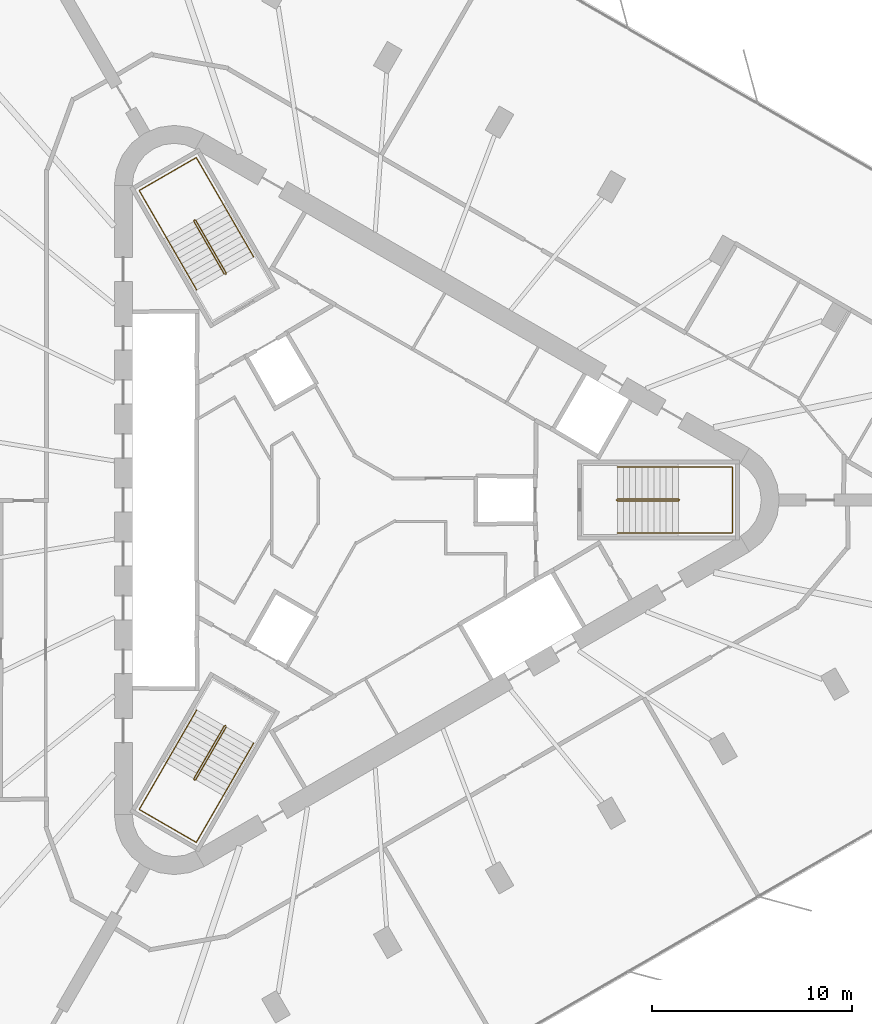
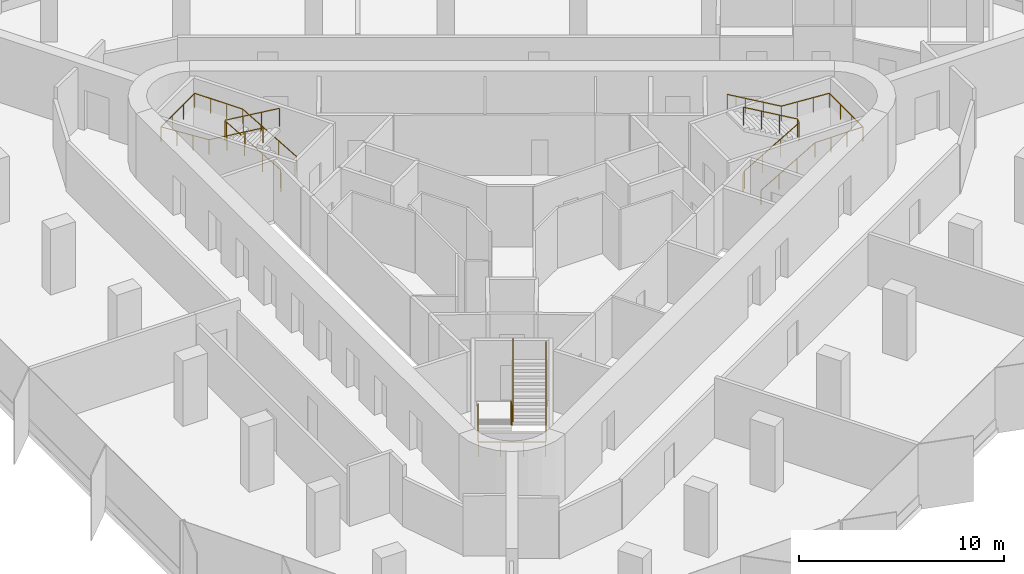
# One storey, part 12 of 12: 6 railings.
"""IFC4 building model written with IfcOpenShell, lengths in metres."""

from ifc_helpers import new_model, si_unit, direction, frame, origin, origin_2d, place, context, subcontext, project, spatial, circle, extrude, material, type_object, element, save


model = new_model("IFC4")

# Units and contexts
model_context = context("Model", 3, precision=1e-05, world=origin(), true_north=direction((0.0, 1.0)))
body_context = subcontext(model_context, "Body", "Model", "MODEL_VIEW")
ifc_project = project(units=[si_unit("LENGTHUNIT", "METRE"), si_unit("AREAUNIT", "SQUARE_METRE"), si_unit("VOLUMEUNIT", "CUBIC_METRE"), si_unit("PLANEANGLEUNIT", "RADIAN"), si_unit("MASSUNIT", "GRAM", prefix="KILO")], contexts=[model_context])

# Site, building, storey
site_placement = place(None, origin())
site = spatial("IfcSite", under=ifc_project, at=site_placement, CompositionType="ELEMENT")
building_placement = place(site_placement, origin())
building = spatial("IfcBuilding", under=site, at=building_placement, Name="Tanit Gate Tower", CompositionType="ELEMENT")
storey_placement = place(building_placement, frame((0.0, 0.0, 337.699951171875)))
storey = spatial("IfcBuildingStorey", under=building, at=storey_placement, Name="L76", CompositionType="ELEMENT", Elevation=337.699951171875)

# Railings
ifc_material_1 = material(Name="Stainless steel balustrade", Category="steel")
railing_type_1 = type_object("IfcRailingType", Name="INT-STAIR-GUARD", PredefinedType="GUARDRAIL", material=ifc_material_1)
railing_1_placement = place(storey_placement, frame((13.044921875, 0.0048828125, 0.0)))
element("IfcRailing", 1, at=railing_1_placement, inside=storey, type_object=railing_type_1, Name="L76 S1 stair guard 1", PredefinedType="GUARDRAIL", context=body_context, shape_type="SweptSolid", body=[
    extrude(circle(Radius=0.02392578125, at=origin_2d()), frame((0.0, 0.0, 1.076171875), z_axis=(0.0, -1.0, 0.0), x_axis=(1.0, 0.0, 0.0)), (0.0, 0.0, 1.0), 0.009765625),
    extrude(circle(Radius=0.02392578125, at=origin_2d()), frame((0.0, -0.009765625, 1.076171875), z_axis=(0.262233686654, -0.262233686654, 0.928691007369), x_axis=(0.707106781187, 0.707106781187, 0.0)), (0.0, 0.0, 1.0), 0.19091796875),
    extrude(circle(Radius=0.02392578125, at=origin_2d()), frame((0.050048828125, -0.059814453125, 1.25341796875), z_axis=(0.864648382064, 0.0, 0.502377522779), x_axis=(0.0, 1.0, 0.0)), (0.0, 0.0, 1.0), 3.528564453125),
    extrude(circle(Radius=0.02392578125, at=origin_2d()), frame((3.10107421875, -0.059814453125, 3.02587890625), z_axis=(0.707106781187, 0.707106781187, 0.0), x_axis=(-0.707106781187, 0.707106781187, 0.0)), (0.0, 0.0, 1.0), 0.07080078125),
    extrude(circle(Radius=0.02392578125, at=origin_2d()), frame((3.151123046875, -0.009765625, 3.02587890625), z_axis=(0.0, 1.0, 0.0), x_axis=(-1.0, 0.0, 0.0)), (0.0, 0.0, 1.0), 0.009765625),
    extrude(circle(Radius=0.02392578125, at=origin_2d()), frame((3.151123046875, 0.0, 3.02587890625), z_axis=(-0.261922500866, 0.261922500866, 0.928866625022), x_axis=(-0.707106781187, -0.707106781187, 0.0)), (0.0, 0.0, 1.0), 0.191162109375),
    extrude(circle(Radius=0.02392578125, at=origin_2d()), frame((3.10107421875, 0.050048828125, 3.20361328125), z_axis=(-0.864648382064, 0.0, 0.502377522779), x_axis=(0.0, -1.0, 0.0)), (0.0, 0.0, 1.0), 3.528564453125),
    extrude(circle(Radius=0.02099609375, at=origin_2d()), origin(), (0.0, 0.0, 1.0), 1.052001953125),
    extrude(circle(Radius=0.02099609375, at=origin_2d()), frame((0.0, -0.009765625, 0.0)), (0.0, 0.0, 1.0), 1.052001953125),
    extrude(circle(Radius=0.02099609375, at=origin_2d()), frame((0.050048828125, -0.059814453125, 0.17724609375)), (0.0, 0.0, 1.0), 1.052001953125),
    extrude(circle(Radius=0.02099609375, at=origin_2d()), frame((1.067138671875, -0.059814453125, 0.76806640625)), (0.0, 0.0, 1.0), 1.052001953125),
    extrude(circle(Radius=0.02099609375, at=origin_2d()), frame((2.083984375, -0.059814453125, 1.359130859375)), (0.0, 0.0, 1.0), 1.052001953125),
    extrude(circle(Radius=0.02099609375, at=origin_2d()), frame((3.10107421875, -0.059814453125, 1.949951171875)), (0.0, 0.0, 1.0), 1.052001953125),
    extrude(circle(Radius=0.02099609375, at=origin_2d()), frame((3.151123046875, -0.009765625, 1.949951171875)), (0.0, 0.0, 1.0), 1.052001953125),
    extrude(circle(Radius=0.02099609375, at=origin_2d()), frame((3.151123046875, 0.0, 1.949951171875)), (0.0, 0.0, 1.0), 1.052001953125),
    extrude(circle(Radius=0.02099609375, at=origin_2d()), frame((3.10107421875, 0.050048828125, 2.12744140625)), (0.0, 0.0, 1.0), 1.052001953125),
    extrude(circle(Radius=0.02099609375, at=origin_2d()), frame((2.083984375, 0.050048828125, 2.71826171875)), (0.0, 0.0, 1.0), 1.052001953125),
    extrude(circle(Radius=0.02099609375, at=origin_2d()), frame((1.067138671875, 0.050048828125, 3.309326171875)), (0.0, 0.0, 1.0), 1.052001953125),
    extrude(circle(Radius=0.02099609375, at=origin_2d()), frame((0.050048828125, 0.050048828125, 3.900146484375)), (0.0, 0.0, 1.0), 1.052001953125),
])
railing_2_placement = place(storey_placement, frame((-6.527099609375, 11.29345703125, 0.0)))
element("IfcRailing", 2, at=railing_2_placement, inside=storey, type_object=railing_type_1, Name="L76 S2 stair guard 1", PredefinedType="GUARDRAIL", context=body_context, shape_type="SweptSolid", body=[
    extrude(circle(Radius=0.02392578125, at=origin_2d()), frame((0.0, 0.0, 1.076171875), z_axis=(0.868243142124, 0.496138938357, 0.0), x_axis=(-0.496138938357, 0.868243142124, 0.0)), (0.0, 0.0, 1.0), 0.01171875),
    extrude(circle(Radius=0.02392578125, at=origin_2d()), frame((0.01025390625, 0.005859375, 1.076171875), z_axis=(0.095941116058, 0.358180166617, 0.928710003441), x_axis=(-0.965948051503, 0.258736085224, 0.0)), (0.0, 0.0, 1.0), 0.19091796875),
    extrude(circle(Radius=0.02392578125, at=origin_2d()), frame((0.028564453125, 0.07421875, 1.25341796875), z_axis=(-0.4322777601, 0.748681545756, 0.50260509465), x_axis=(-0.866012246495, -0.500022788402, 0.0)), (0.0, 0.0, 1.0), 3.527099609375),
    extrude(circle(Radius=0.02392578125, at=origin_2d()), frame((-1.49609375, 2.71484375, 3.02587890625), z_axis=(-0.965715946433, 0.259601060869, 0.0), x_axis=(-0.259601060869, -0.965715946433, 0.0)), (0.0, 0.0, 1.0), 0.070556640625),
    extrude(circle(Radius=0.02392578125, at=origin_2d()), frame((-1.564208984375, 2.733154296875, 3.02587890625), z_axis=(-0.873197702015, -0.487366159264, 0.0), x_axis=(0.487366159264, -0.873197702015, 0.0)), (0.0, 0.0, 1.0), 0.011962890625),
    extrude(circle(Radius=0.02392578125, at=origin_2d()), frame((-1.57470703125, 2.727294921875, 3.02587890625), z_axis=(-0.095827260621, -0.357755106318, 0.928885579619), x_axis=(0.965948051503, -0.258736085224, 0.0)), (0.0, 0.0, 1.0), 0.191162109375),
    extrude(circle(Radius=0.02392578125, at=origin_2d()), frame((-1.593017578125, 2.658935546875, 3.20361328125), z_axis=(0.4322777601, -0.748681545756, 0.50260509465), x_axis=(0.866012246495, 0.500022788402, 0.0)), (0.0, 0.0, 1.0), 3.527099609375),
    extrude(circle(Radius=0.02099609375, at=origin_2d()), origin(), (0.0, 0.0, 1.0), 1.052001953125),
    extrude(circle(Radius=0.02099609375, at=origin_2d()), frame((0.01025390625, 0.005859375, 0.0)), (0.0, 0.0, 1.0), 1.052001953125),
    extrude(circle(Radius=0.02099609375, at=origin_2d()), frame((0.028564453125, 0.07421875, 0.17724609375)), (0.0, 0.0, 1.0), 1.052001953125),
    extrude(circle(Radius=0.02099609375, at=origin_2d()), frame((-0.479736328125, 0.954345703125, 0.76806640625)), (0.0, 0.0, 1.0), 1.052001953125),
    extrude(circle(Radius=0.02099609375, at=origin_2d()), frame((-0.98779296875, 1.834716796875, 1.359130859375)), (0.0, 0.0, 1.0), 1.052001953125),
    extrude(circle(Radius=0.02099609375, at=origin_2d()), frame((-1.49609375, 2.71484375, 1.949951171875)), (0.0, 0.0, 1.0), 1.052001953125),
    extrude(circle(Radius=0.02099609375, at=origin_2d()), frame((-1.564208984375, 2.733154296875, 1.949951171875)), (0.0, 0.0, 1.0), 1.052001953125),
    extrude(circle(Radius=0.02099609375, at=origin_2d()), frame((-1.57470703125, 2.727294921875, 1.949951171875)), (0.0, 0.0, 1.0), 1.052001953125),
    extrude(circle(Radius=0.02099609375, at=origin_2d()), frame((-1.593017578125, 2.658935546875, 2.12744140625)), (0.0, 0.0, 1.0), 1.052001953125),
    extrude(circle(Radius=0.02099609375, at=origin_2d()), frame((-1.084716796875, 1.77880859375, 2.71826171875)), (0.0, 0.0, 1.0), 1.052001953125),
    extrude(circle(Radius=0.02099609375, at=origin_2d()), frame((-0.57666015625, 0.8984375, 3.309326171875)), (0.0, 0.0, 1.0), 1.052001953125),
    extrude(circle(Radius=0.02099609375, at=origin_2d()), frame((-0.068359375, 0.018310546875, 3.900146484375)), (0.0, 0.0, 1.0), 1.052001953125),
])
railing_3_placement = place(storey_placement, frame((-6.51806640625, -11.2998046875, 0.0)))
element("IfcRailing", 3, at=railing_3_placement, inside=storey, type_object=railing_type_1, Name="L76 S3 stair guard 1", PredefinedType="GUARDRAIL", context=body_context, shape_type="SweptSolid", body=[
    extrude(circle(Radius=0.02392578125, at=origin_2d()), frame((0.0, 0.0, 1.076171875), z_axis=(-0.874157276122, 0.485642931179, 0.0), x_axis=(-0.485642931179, -0.874157276122, 0.0)), (0.0, 0.0, 1.0), 0.010009765625),
    extrude(circle(Radius=0.02392578125, at=origin_2d()), frame((-0.0087890625, 0.0048828125, 1.076171875), z_axis=(-0.358223840744, -0.094673443625, 0.928823244215), x_axis=(0.255512919477, -0.966805641264, 0.0)), (0.0, 0.0, 1.0), 0.19091796875),
    extrude(circle(Radius=0.02392578125, at=origin_2d()), frame((-0.0771484375, -0.01318359375, 1.25341796875), z_axis=(-0.432289778901, -0.748827189027, 0.502377734411), x_axis=(0.866048339477, -0.499960272111, 0.0)), (0.0, 0.0, 1.0), 3.528564453125),
    extrude(circle(Radius=0.02392578125, at=origin_2d()), frame((-1.6025390625, -2.655517578125, 3.02587890625), z_axis=(0.258736085224, -0.965948051503, 0.0), x_axis=(0.965948051503, 0.258736085224, 0.0)), (0.0, 0.0, 1.0), 0.07080078125),
    extrude(circle(Radius=0.02392578125, at=origin_2d()), frame((-1.584228515625, -2.723876953125, 3.02587890625), z_axis=(0.868243142124, -0.496138938357, 0.0), x_axis=(0.496138938357, 0.868243142124, 0.0)), (0.0, 0.0, 1.0), 0.009765625),
    extrude(circle(Radius=0.02392578125, at=origin_2d()), frame((-1.57568359375, -2.728759765625, 3.02587890625), z_axis=(0.357755106318, 0.095827260621, 0.928885579619), x_axis=(-0.258736085224, 0.965948051503, 0.0)), (0.0, 0.0, 1.0), 0.191162109375),
    extrude(circle(Radius=0.02392578125, at=origin_2d()), frame((-1.50732421875, -2.71044921875, 3.20361328125), z_axis=(0.432368434633, 0.748774395838, 0.502388734816), x_axis=(-0.865993683553, 0.500054937028, 0.0)), (0.0, 0.0, 1.0), 3.528564453125),
    extrude(circle(Radius=0.02099609375, at=origin_2d()), origin(), (0.0, 0.0, 1.0), 1.052001953125),
    extrude(circle(Radius=0.02099609375, at=origin_2d()), frame((-0.0087890625, 0.0048828125, 0.0)), (0.0, 0.0, 1.0), 1.052001953125),
    extrude(circle(Radius=0.02099609375, at=origin_2d()), frame((-0.0771484375, -0.01318359375, 0.17724609375)), (0.0, 0.0, 1.0), 1.052001953125),
    extrude(circle(Radius=0.02099609375, at=origin_2d()), frame((-0.585693359375, -0.89404296875, 0.76806640625)), (0.0, 0.0, 1.0), 1.052001953125),
    extrude(circle(Radius=0.02099609375, at=origin_2d()), frame((-1.093994140625, -1.774658203125, 1.359130859375)), (0.0, 0.0, 1.0), 1.052001953125),
    extrude(circle(Radius=0.02099609375, at=origin_2d()), frame((-1.6025390625, -2.655517578125, 1.949951171875)), (0.0, 0.0, 1.0), 1.052001953125),
    extrude(circle(Radius=0.02099609375, at=origin_2d()), frame((-1.584228515625, -2.723876953125, 1.949951171875)), (0.0, 0.0, 1.0), 1.052001953125),
    extrude(circle(Radius=0.02099609375, at=origin_2d()), frame((-1.57568359375, -2.728759765625, 1.949951171875)), (0.0, 0.0, 1.0), 1.052001953125),
    extrude(circle(Radius=0.02099609375, at=origin_2d()), frame((-1.50732421875, -2.71044921875, 2.12744140625)), (0.0, 0.0, 1.0), 1.052001953125),
    extrude(circle(Radius=0.02099609375, at=origin_2d()), frame((-0.998779296875, -1.829833984375, 2.71826171875)), (0.0, 0.0, 1.0), 1.052001953125),
    extrude(circle(Radius=0.02099609375, at=origin_2d()), frame((-0.490234375, -0.948974609375, 3.309326171875)), (0.0, 0.0, 1.0), 1.052001953125),
    extrude(circle(Radius=0.02099609375, at=origin_2d()), frame((0.018310546875, -0.068359375, 3.900146484375)), (0.0, 0.0, 1.0), 1.052001953125),
])
ifc_material_2 = material(Name="Stainless steel handrail", Category="steel")
railing_type_2 = type_object("IfcRailingType", Name="INT-STAIR-HANDRAIL", PredefinedType="HANDRAIL", material=ifc_material_2)
railing_4_placement = place(storey_placement, frame((13.094970703125, -1.64990234375, 0.17724609375)))
element("IfcRailing", 4, at=railing_4_placement, inside=storey, type_object=railing_type_2, Name="L76 S1 stair handrail 1", PredefinedType="HANDRAIL", context=body_context, shape_type="SweptSolid", body=[
    extrude(circle(Radius=0.02392578125, at=origin_2d()), frame((0.0, 0.0, 0.8759765625), z_axis=(0.864648382064, 0.0, 0.502377522779), x_axis=(0.0, 1.0, 0.0)), (0.0, 0.0, 1.0), 3.528564453125),
    extrude(circle(Radius=0.02392578125, at=origin_2d()), frame((3.051025390625, 0.0, 2.6484375), z_axis=(1.0, 0.0, 0.0), x_axis=(0.0, 1.0, 0.0)), (0.0, 0.0, 1.0), 2.7041015625),
    extrude(circle(Radius=0.02392578125, at=origin_2d()), frame((5.755126953125, 0.0, 2.6484375), z_axis=(0.0, 1.0, 0.0), x_axis=(-1.0, 0.0, 0.0)), (0.0, 0.0, 1.0), 3.2998046875),
    extrude(circle(Radius=0.02392578125, at=origin_2d()), frame((5.755126953125, 3.2998046875, 2.6484375), z_axis=(-0.997852800478, 0.0, 0.065496477604), x_axis=(0.0, -1.0, 0.0)), (0.0, 0.0, 1.0), 2.7099609375),
    extrude(circle(Radius=0.02392578125, at=origin_2d()), frame((3.051025390625, 3.2998046875, 2.826171875), z_axis=(-0.864648382064, 0.0, 0.502377522779), x_axis=(0.0, -1.0, 0.0)), (0.0, 0.0, 1.0), 3.528564453125),
    extrude(circle(Radius=0.02099609375, at=origin_2d()), origin(), (0.0, 0.0, 1.0), 0.851806640625),
    extrude(circle(Radius=0.02099609375, at=origin_2d()), frame((1.01708984375, 0.0, 0.5908203125)), (0.0, 0.0, 1.0), 0.851806640625),
    extrude(circle(Radius=0.02099609375, at=origin_2d()), frame((2.033935546875, 0.0, 1.181884765625)), (0.0, 0.0, 1.0), 0.851806640625),
    extrude(circle(Radius=0.02099609375, at=origin_2d()), frame((3.051025390625, 0.0, 1.772705078125)), (0.0, 0.0, 1.0), 0.851806640625),
    extrude(circle(Radius=0.02099609375, at=origin_2d()), frame((3.952392578125, 0.0, 1.772705078125)), (0.0, 0.0, 1.0), 0.851806640625),
    extrude(circle(Radius=0.02099609375, at=origin_2d()), frame((4.853759765625, 0.0, 1.772705078125)), (0.0, 0.0, 1.0), 0.851806640625),
    extrude(circle(Radius=0.02099609375, at=origin_2d()), frame((5.755126953125, 0.0, 1.772705078125)), (0.0, 0.0, 1.0), 0.851806640625),
    extrude(circle(Radius=0.02099609375, at=origin_2d()), frame((5.755126953125, 1.099853515625, 1.772705078125)), (0.0, 0.0, 1.0), 0.851806640625),
    extrude(circle(Radius=0.02099609375, at=origin_2d()), frame((5.755126953125, 2.199951171875, 1.772705078125)), (0.0, 0.0, 1.0), 0.851806640625),
    extrude(circle(Radius=0.02099609375, at=origin_2d()), frame((5.755126953125, 3.2998046875, 1.772705078125)), (0.0, 0.0, 1.0), 0.851806640625),
    extrude(circle(Radius=0.02099609375, at=origin_2d()), frame((4.853759765625, 3.2998046875, 1.831787109375)), (0.0, 0.0, 1.0), 0.851806640625),
    extrude(circle(Radius=0.02099609375, at=origin_2d()), frame((3.952392578125, 3.2998046875, 1.89111328125)), (0.0, 0.0, 1.0), 0.851806640625),
    extrude(circle(Radius=0.02099609375, at=origin_2d()), frame((3.051025390625, 3.2998046875, 1.9501953125)), (0.0, 0.0, 1.0), 0.851806640625),
    extrude(circle(Radius=0.02099609375, at=origin_2d()), frame((2.033935546875, 3.2998046875, 2.541015625)), (0.0, 0.0, 1.0), 0.851806640625),
    extrude(circle(Radius=0.02099609375, at=origin_2d()), frame((1.01708984375, 3.2998046875, 3.132080078125)), (0.0, 0.0, 1.0), 0.851806640625),
    extrude(circle(Radius=0.02099609375, at=origin_2d()), frame((0.0, 3.2998046875, 3.722900390625)), (0.0, 0.0, 1.0), 0.851806640625),
])
railing_5_placement = place(storey_placement, frame((-5.1181640625, 12.164794921875, 0.17724609375)))
element("IfcRailing", 5, at=railing_5_placement, inside=storey, type_object=railing_type_2, Name="L76 S2 stair handrail 1", PredefinedType="HANDRAIL", context=body_context, shape_type="SweptSolid", body=[
    extrude(circle(Radius=0.02392578125, at=origin_2d()), frame((0.0, 0.0, 0.8759765625), z_axis=(-0.432221472453, 0.748703947157, 0.502620133164), x_axis=(-0.866046917185, -0.499962735845, 0.0)), (0.0, 0.0, 1.0), 3.52685546875),
    extrude(circle(Radius=0.02392578125, at=origin_2d()), frame((-1.5244140625, 2.640625, 2.6484375), z_axis=(-0.500019123664, 0.86601436245, 0.0), x_axis=(-0.86601436245, -0.500019123664, 0.0)), (0.0, 0.0, 1.0), 2.70703125),
    extrude(circle(Radius=0.02392578125, at=origin_2d()), frame((-2.8779296875, 4.98486328125, 2.6484375), z_axis=(-0.866008176907, -0.50002983664, 0.0), x_axis=(0.50002983664, -0.866008176907, 0.0)), (0.0, 0.0, 1.0), 3.300048828125),
    extrude(circle(Radius=0.02392578125, at=origin_2d()), frame((-5.73583984375, 3.334716796875, 2.6484375), z_axis=(0.498986523186, -0.864135932379, 0.065433478058), x_axis=(0.865991810323, 0.500058181068, 0.0)), (0.0, 0.0, 1.0), 2.712646484375),
    extrude(circle(Radius=0.02392578125, at=origin_2d()), frame((-4.38232421875, 0.99072265625, 2.826171875), z_axis=(0.432255358616, -0.748711963836, 0.502579048665), x_axis=(0.866032263162, 0.499988119021, 0.0)), (0.0, 0.0, 1.0), 3.527099609375),
    extrude(circle(Radius=0.02099609375, at=origin_2d()), origin(), (0.0, 0.0, 1.0), 0.851806640625),
    extrude(circle(Radius=0.02099609375, at=origin_2d()), frame((-0.508056640625, 0.880126953125, 0.5908203125)), (0.0, 0.0, 1.0), 0.851806640625),
    extrude(circle(Radius=0.02099609375, at=origin_2d()), frame((-1.016357421875, 1.760498046875, 1.181884765625)), (0.0, 0.0, 1.0), 0.851806640625),
    extrude(circle(Radius=0.02099609375, at=origin_2d()), frame((-1.5244140625, 2.640625, 1.772705078125)), (0.0, 0.0, 1.0), 0.851806640625),
    extrude(circle(Radius=0.02099609375, at=origin_2d()), frame((-1.9755859375, 3.422119140625, 1.772705078125)), (0.0, 0.0, 1.0), 0.851806640625),
    extrude(circle(Radius=0.02099609375, at=origin_2d()), frame((-2.4267578125, 4.203369140625, 1.772705078125)), (0.0, 0.0, 1.0), 0.851806640625),
    extrude(circle(Radius=0.02099609375, at=origin_2d()), frame((-2.8779296875, 4.98486328125, 1.772705078125)), (0.0, 0.0, 1.0), 0.851806640625),
    extrude(circle(Radius=0.02099609375, at=origin_2d()), frame((-3.83056640625, 4.434814453125, 1.772705078125)), (0.0, 0.0, 1.0), 0.851806640625),
    extrude(circle(Radius=0.02099609375, at=origin_2d()), frame((-4.783203125, 3.884765625, 1.772705078125)), (0.0, 0.0, 1.0), 0.851806640625),
    extrude(circle(Radius=0.02099609375, at=origin_2d()), frame((-5.73583984375, 3.334716796875, 1.772705078125)), (0.0, 0.0, 1.0), 0.851806640625),
    extrude(circle(Radius=0.02099609375, at=origin_2d()), frame((-5.28466796875, 2.553466796875, 1.831787109375)), (0.0, 0.0, 1.0), 0.851806640625),
    extrude(circle(Radius=0.02099609375, at=origin_2d()), frame((-4.83349609375, 1.77197265625, 1.89111328125)), (0.0, 0.0, 1.0), 0.851806640625),
    extrude(circle(Radius=0.02099609375, at=origin_2d()), frame((-4.38232421875, 0.99072265625, 1.9501953125)), (0.0, 0.0, 1.0), 0.851806640625),
    extrude(circle(Radius=0.02099609375, at=origin_2d()), frame((-3.8740234375, 0.1103515625, 2.541015625)), (0.0, 0.0, 1.0), 0.851806640625),
    extrude(circle(Radius=0.02099609375, at=origin_2d()), frame((-3.365966796875, -0.769775390625, 3.132080078125)), (0.0, 0.0, 1.0), 0.851806640625),
    extrude(circle(Radius=0.02099609375, at=origin_2d()), frame((-2.857666015625, -1.650146484375, 3.722900390625)), (0.0, 0.0, 1.0), 0.851806640625),
])
railing_6_placement = place(storey_placement, frame((-7.9765625, -10.515625, 0.17724609375)))
element("IfcRailing", 6, at=railing_6_placement, inside=storey, type_object=railing_type_2, Name="L76 S3 stair handrail 1", PredefinedType="HANDRAIL", context=body_context, shape_type="SweptSolid", body=[
    extrude(circle(Radius=0.02392578125, at=origin_2d()), frame((0.0, 0.0, 0.8759765625), z_axis=(-0.432289778901, -0.748827189027, 0.502377734411), x_axis=(0.866048339477, -0.499960272111, 0.0)), (0.0, 0.0, 1.0), 3.528564453125),
    extrude(circle(Radius=0.02392578125, at=origin_2d()), frame((-1.525390625, -2.642333984375, 2.6484375), z_axis=(-0.50004290449, -0.866000631449, 0.0), x_axis=(0.866000631449, -0.50004290449, 0.0)), (0.0, 0.0, 1.0), 2.703857421875),
    extrude(circle(Radius=0.02392578125, at=origin_2d()), frame((-2.87744140625, -4.98388671875, 2.6484375), z_axis=(0.866008176907, -0.50002983664, 0.0), x_axis=(0.50002983664, 0.866008176907, 0.0)), (0.0, 0.0, 1.0), 3.300048828125),
    extrude(circle(Radius=0.02392578125, at=origin_2d()), frame((-0.01953125, -6.634033203125, 2.6484375), z_axis=(0.498930182534, 0.864163653099, 0.065496974125), x_axis=(-0.866023205937, 0.500003806764, 0.0)), (0.0, 0.0, 1.0), 2.7099609375),
    extrude(circle(Radius=0.02392578125, at=origin_2d()), frame((1.33251953125, -4.292236328125, 2.826171875), z_axis=(0.432289778901, 0.748827189027, 0.502377734411), x_axis=(-0.866048339477, 0.499960272111, 0.0)), (0.0, 0.0, 1.0), 3.528564453125),
    extrude(circle(Radius=0.02099609375, at=origin_2d()), origin(), (0.0, 0.0, 1.0), 0.851806640625),
    extrude(circle(Radius=0.02099609375, at=origin_2d()), frame((-0.508544921875, -0.880859375, 0.5908203125)), (0.0, 0.0, 1.0), 0.851806640625),
    extrude(circle(Radius=0.02099609375, at=origin_2d()), frame((-1.016845703125, -1.761474609375, 1.181884765625)), (0.0, 0.0, 1.0), 0.851806640625),
    extrude(circle(Radius=0.02099609375, at=origin_2d()), frame((-1.525390625, -2.642333984375, 1.772705078125)), (0.0, 0.0, 1.0), 0.851806640625),
    extrude(circle(Radius=0.02099609375, at=origin_2d()), frame((-1.97607421875, -3.4228515625, 1.772705078125)), (0.0, 0.0, 1.0), 0.851806640625),
    extrude(circle(Radius=0.02099609375, at=origin_2d()), frame((-2.4267578125, -4.203369140625, 1.772705078125)), (0.0, 0.0, 1.0), 0.851806640625),
    extrude(circle(Radius=0.02099609375, at=origin_2d()), frame((-2.87744140625, -4.98388671875, 1.772705078125)), (0.0, 0.0, 1.0), 0.851806640625),
    extrude(circle(Radius=0.02099609375, at=origin_2d()), frame((-1.9248046875, -5.533935546875, 1.772705078125)), (0.0, 0.0, 1.0), 0.851806640625),
    extrude(circle(Radius=0.02099609375, at=origin_2d()), frame((-0.97216796875, -6.083984375, 1.772705078125)), (0.0, 0.0, 1.0), 0.851806640625),
    extrude(circle(Radius=0.02099609375, at=origin_2d()), frame((-0.01953125, -6.634033203125, 1.772705078125)), (0.0, 0.0, 1.0), 0.851806640625),
    extrude(circle(Radius=0.02099609375, at=origin_2d()), frame((0.43115234375, -5.853515625, 1.831787109375)), (0.0, 0.0, 1.0), 0.851806640625),
    extrude(circle(Radius=0.02099609375, at=origin_2d()), frame((0.8818359375, -5.07275390625, 1.89111328125)), (0.0, 0.0, 1.0), 0.851806640625),
    extrude(circle(Radius=0.02099609375, at=origin_2d()), frame((1.33251953125, -4.292236328125, 1.9501953125)), (0.0, 0.0, 1.0), 0.851806640625),
    extrude(circle(Radius=0.02099609375, at=origin_2d()), frame((1.841064453125, -3.411376953125, 2.541015625)), (0.0, 0.0, 1.0), 0.851806640625),
    extrude(circle(Radius=0.02099609375, at=origin_2d()), frame((2.349365234375, -2.53076171875, 3.132080078125)), (0.0, 0.0, 1.0), 0.851806640625),
    extrude(circle(Radius=0.02099609375, at=origin_2d()), frame((2.85791015625, -1.64990234375, 3.722900390625)), (0.0, 0.0, 1.0), 0.851806640625),
])

save(model, "model.ifc")
